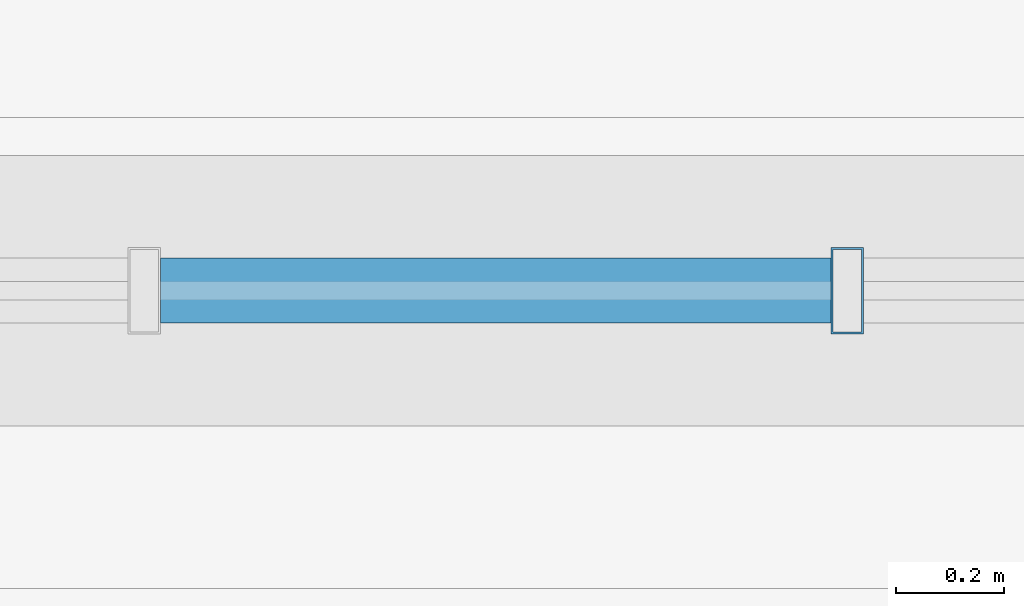
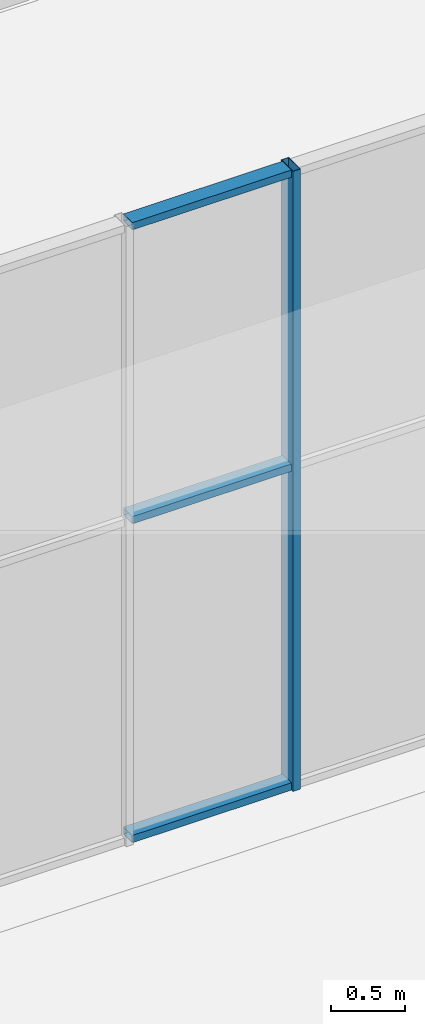
# One storey, part 88 of 132: 4 members, 1 element without a shape of its own.
"""IFC4 building model written with IfcOpenShell, lengths in metres."""

from ifc_helpers import new_model, si_unit, direction, frame, origin, origin_2d, place, context, subcontext, project, spatial, hollow_rectangle, extrude, material, material_profile, profile_set, type_object, element, aggregate, save


model = new_model("IFC4")

# Units and contexts
model_context = context("Model", 3, precision=1e-05, world=origin(), true_north=direction((0.0, 1.0)))
body_context = subcontext(model_context, "Body", "Model", "MODEL_VIEW")
ifc_project = project(units=[si_unit("LENGTHUNIT", "METRE"), si_unit("AREAUNIT", "SQUARE_METRE"), si_unit("VOLUMEUNIT", "CUBIC_METRE"), si_unit("PLANEANGLEUNIT", "RADIAN"), si_unit("MASSUNIT", "GRAM", prefix="KILO")], contexts=[model_context])

# Site, building, storey
site_placement = place(None, origin())
site = spatial("IfcSite", under=ifc_project, at=site_placement, CompositionType="ELEMENT")
building_placement = place(site_placement, origin())
building = spatial("IfcBuilding", under=site, at=building_placement, Name="Khurvash Pelagic Aquarium", CompositionType="ELEMENT")
storey_placement = place(building_placement, frame((0.0, 0.0, 5.39990234375)))
storey = spatial("IfcBuildingStorey", under=building, at=storey_placement, Name="L01", CompositionType="ELEMENT", Elevation=5.39990234375)

# Curtain wall, members
ifc_material_1 = material(Name="Anodised aluminium and low-E laminated glass", Category="aluminium")
curtain_wall_type = type_object("IfcCurtainWallType", Name="CW-05", PredefinedType="USERDEFINED", material=ifc_material_1)
curtain_wall_placement = place(storey_placement, origin())
curtain_wall = element("IfcCurtainWall", 1, at=curtain_wall_placement, inside=storey, type_object=curtain_wall_type, Name="L01 Facade Unitised Curtain Wall CW-05 0116", ObjectType="UNITISED CURTAIN WALL", PredefinedType="USERDEFINED")
ifc_material_2 = material(Name="Extruded aluminium AW-6063-T6", Category="aluminium")
ifc_material_profile_1 = material_profile(ifc_material_2, hollow_rectangle(XDim=0.06005859375, YDim=0.159912109375, WallThickness=0.00390625, at=origin_2d()), Name="CWM60X160X4")
ifc_profile_set_1 = profile_set([ifc_material_profile_1], Name="Extruded aluminium AW-6063-T6")
member_type_1 = type_object("IfcMemberType", Name="CM-02", PredefinedType="MULLION", material=ifc_profile_set_1)
member_1_placement = place(storey_placement, frame((95.3017578125, 102.14990234375, 0.0), z_axis=(0.0, 0.0, 1.0), x_axis=(-1.0, 0.0, 0.0)))
member_1 = element("IfcMember", 2, at=member_1_placement, type_object=member_type_1, Name="CW-05 mullion 5", PredefinedType="MULLION", context=body_context, shape_type="SweptSolid", body=[
    extrude(hollow_rectangle(XDim=0.06005859375, YDim=0.159912109375, WallThickness=0.00390625, at=origin_2d()), origin(), (0.0, 0.0, 1.0), 5.10009765625),
])
ifc_material_profile_2 = material_profile(ifc_material_2, hollow_rectangle(XDim=0.1201171875, YDim=0.06005859375, WallThickness=0.00390625, at=origin_2d()), Name="CWT120X60X4")
ifc_profile_set_2 = profile_set([ifc_material_profile_2], Name="Extruded aluminium AW-6063-T6")
member_type_2 = type_object("IfcMemberType", Name="CT-02", PredefinedType="USERDEFINED", material=ifc_profile_set_2)
member_2_placement = place(storey_placement, frame((95.271728515625, 102.14990234375, 0.030029296875), z_axis=(-1.0, 0.0, 0.0), x_axis=(0.0, -1.0, 0.0)))
member_2 = element("IfcMember", 3, at=member_2_placement, type_object=member_type_2, Name="CW-05 transom 5.1", ObjectType="TRANSOM", PredefinedType="USERDEFINED", context=body_context, shape_type="SweptSolid", body=[
    extrude(hollow_rectangle(XDim=0.1201171875, YDim=0.06005859375, WallThickness=0.00390625, at=origin_2d()), origin(), (0.0, 0.0, 1.0), 1.23828125),
])
member_3_placement = place(storey_placement, frame((95.271728515625, 102.14990234375, 2.652099609375), z_axis=(-1.0, 0.0, 0.0), x_axis=(0.0, -1.0, 0.0)))
member_3 = element("IfcMember", 4, at=member_3_placement, type_object=member_type_2, Name="CW-05 transom 5.2", ObjectType="TRANSOM", PredefinedType="USERDEFINED", context=body_context, shape_type="SweptSolid", body=[
    extrude(hollow_rectangle(XDim=0.1201171875, YDim=0.06005859375, WallThickness=0.00390625, at=origin_2d()), origin(), (0.0, 0.0, 1.0), 1.23828125),
])
member_4_placement = place(storey_placement, frame((95.271728515625, 102.14990234375, 5.070068359375), z_axis=(-1.0, 0.0, 0.0), x_axis=(0.0, -1.0, 0.0)))
member_4 = element("IfcMember", 5, at=member_4_placement, type_object=member_type_2, Name="CW-05 transom 5.3", ObjectType="TRANSOM", PredefinedType="USERDEFINED", context=body_context, shape_type="SweptSolid", body=[
    extrude(hollow_rectangle(XDim=0.1201171875, YDim=0.06005859375, WallThickness=0.00390625, at=origin_2d()), origin(), (0.0, 0.0, 1.0), 1.23828125),
])
aggregate(curtain_wall, [member_1, member_2, member_3, member_4])

save(model, "model.ifc")
